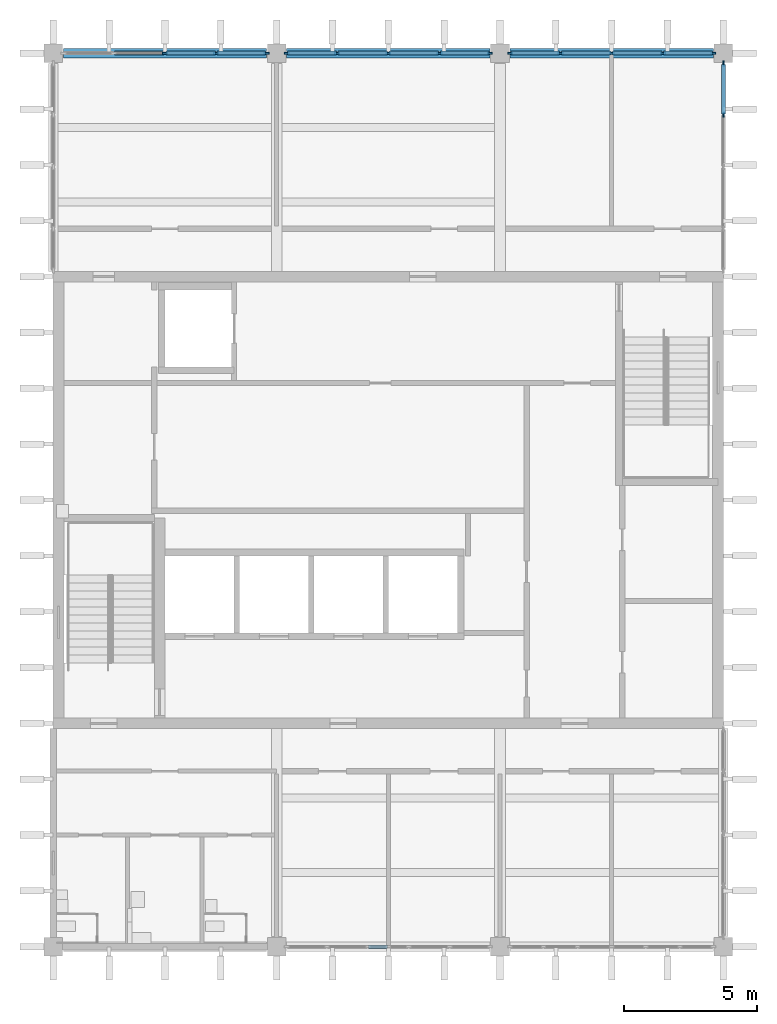
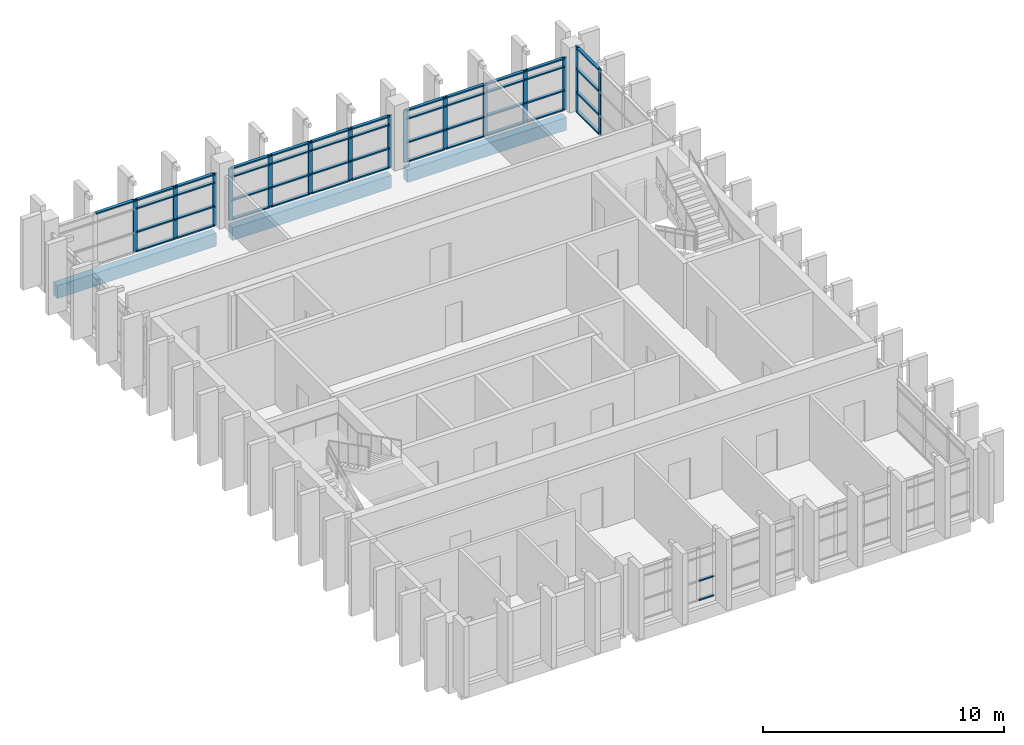
# One storey, part 4 of 11: 62 members, 3 beams, 5 elements without a shape of their own.
"""IFC4 building model written with IfcOpenShell, lengths in metres."""

from ifc_helpers import new_model, si_unit, direction, frame, origin, origin_2d, place, context, subcontext, project, spatial, rectangle, extrude, material, layer, layer_set, material_profile, profile_set, type_object, element, aggregate, save


model = new_model("IFC4")

# Units and contexts
model_context = context("Model", 3, precision=1e-05, world=origin(), true_north=direction((0.0, 1.0)))
body_context = subcontext(model_context, "Body", "Model", "MODEL_VIEW")
ifc_project = project(units=[si_unit("LENGTHUNIT", "METRE"), si_unit("AREAUNIT", "SQUARE_METRE"), si_unit("VOLUMEUNIT", "CUBIC_METRE"), si_unit("PLANEANGLEUNIT", "RADIAN"), si_unit("MASSUNIT", "GRAM", prefix="KILO")], contexts=[model_context])

# Site, building, storey
site_placement = place(None, origin())
site = spatial("IfcSite", under=ifc_project, at=site_placement, CompositionType="ELEMENT")
building_placement = place(site_placement, origin())
building = spatial("IfcBuilding", under=site, at=building_placement, Name="Rulbaag Community and Learning Centre", CompositionType="ELEMENT")
storey_placement = place(building_placement, frame((0.0, 0.0, 50.39990234375)))
storey = spatial("IfcBuildingStorey", under=building, at=storey_placement, Name="L13", CompositionType="ELEMENT", Elevation=50.39990234375)

# Beams
ifc_material_1 = material(Name="Concrete M40", Category="concrete")
ifc_material_profile_1 = material_profile(ifc_material_1, rectangle(XDim=0.35009765625, YDim=0.64990234375, at=origin_2d()), Name="RB350x650")
ifc_profile_set_1 = profile_set([ifc_material_profile_1], Name="Concrete M40")
beam_type = type_object("IfcBeamType", Name="B14 Tower edge beam, upper zone 350x650 Concrete M40", PredefinedType="BEAM", material=ifc_profile_set_1)
beam_1_placement = place(storey_placement, frame((143.179931640625, 117.60009765625, -0.625), z_axis=(1.0, 0.0, 0.0), x_axis=(0.0, 1.0, 0.0)))
element("IfcBeam", 1, at=beam_1_placement, inside=storey, type_object=beam_type, Name="BM-L13-18O-19O", PredefinedType="BEAM", context=body_context, shape_type="SweptSolid", body=[
    extrude(rectangle(XDim=0.35009765625, YDim=0.64990234375, at=origin_2d()), origin(), (0.0, 0.0, 1.0), 7.64013671875),
])
beam_2_placement = place(storey_placement, frame((151.580078125, 117.60009765625, -0.625), z_axis=(1.0, 0.0, 0.0), x_axis=(0.0, 1.0, 0.0)))
element("IfcBeam", 2, at=beam_2_placement, inside=storey, type_object=beam_type, Name="BM-L13-19O-20O", PredefinedType="BEAM", context=body_context, shape_type="SweptSolid", body=[
    extrude(rectangle(XDim=0.35009765625, YDim=0.64990234375, at=origin_2d()), origin(), (0.0, 0.0, 1.0), 7.639892578125),
])
beam_3_placement = place(storey_placement, frame((159.97998046875, 117.60009765625, -0.625), z_axis=(1.0, 0.0, 0.0), x_axis=(0.0, 1.0, 0.0)))
element("IfcBeam", 3, at=beam_3_placement, inside=storey, type_object=beam_type, Name="BM-L13-20O-21O", PredefinedType="BEAM", context=body_context, shape_type="SweptSolid", body=[
    extrude(rectangle(XDim=0.35009765625, YDim=0.64990234375, at=origin_2d()), origin(), (0.0, 0.0, 1.0), 7.64013671875),
])

# Curtain wall, members
ifc_material_2 = material(Name="Aluminium", Category="aluminium")
ifc_layer_1 = layer(ifc_material_2, 0.14990234375)
ifc_layer_set_1 = layer_set([ifc_layer_1], Name="CW-S")
curtain_wall_type_1 = type_object("IfcCurtainWallType", Name="CW-S", PredefinedType="USERDEFINED", material=ifc_layer_set_1)
curtain_wall_1_placement = place(storey_placement, origin())
curtain_wall_1 = element("IfcCurtainWall", 4, at=curtain_wall_1_placement, inside=storey, type_object=curtain_wall_type_1, Name="GS-L13-01", ObjectType="UNITISED CURTAIN WALL", PredefinedType="USERDEFINED")
ifc_material_3 = material(Name="Aluminium transom", Category="aluminium")
ifc_material_profile_2 = material_profile(ifc_material_3, rectangle(XDim=0.125, YDim=0.06005859375, at=origin_2d()), Name="AL 60x125 T")
ifc_profile_set_2 = profile_set([ifc_material_profile_2], Name="Aluminium transom")
member_type_1 = type_object("IfcMemberType", Name="CW-S-TRN", PredefinedType="USERDEFINED", material=ifc_profile_set_2)
member_1_placement = place(storey_placement, frame((154.659912109375, 84.0, 0.030029296875), z_axis=(1.0, 0.0, 0.0), x_axis=(0.0, 1.0, 0.0)))
member_1 = element("IfcMember", 5, at=member_1_placement, type_object=member_type_1, Name="GS transom 3.1", ObjectType="TRANSOM", PredefinedType="USERDEFINED", context=body_context, shape_type="SweptSolid", body=[
    extrude(rectangle(XDim=0.125, YDim=0.06005859375, at=origin_2d()), origin(), (0.0, 0.0, 1.0), 0.710205078125),
])
member_2_placement = place(storey_placement, frame((154.659912109375, 84.0, 1.0), z_axis=(1.0, 0.0, 0.0), x_axis=(0.0, 1.0, 0.0)))
member_2 = element("IfcMember", 6, at=member_2_placement, type_object=member_type_1, Name="GS transom 3.2", ObjectType="TRANSOM", PredefinedType="USERDEFINED", context=body_context, shape_type="SweptSolid", body=[
    extrude(rectangle(XDim=0.125, YDim=0.06005859375, at=origin_2d()), origin(), (0.0, 0.0, 1.0), 0.710205078125),
])
aggregate(curtain_wall_1, [member_1, member_2])

ifc_layer_2 = layer(ifc_material_2, 0.14990234375)
ifc_layer_set_2 = layer_set([ifc_layer_2], Name="CW-T")
curtain_wall_type_2 = type_object("IfcCurtainWallType", Name="CW-T", PredefinedType="USERDEFINED", material=ifc_layer_set_2)
curtain_wall_2_placement = place(storey_placement, origin())
curtain_wall_2 = element("IfcCurtainWall", 7, at=curtain_wall_2_placement, inside=storey, type_object=curtain_wall_type_2, Name="GT-L13-01", ObjectType="UNITISED CURTAIN WALL", PredefinedType="USERDEFINED")
ifc_material_4 = material(Name="Aluminium mullion", Category="aluminium")
ifc_material_profile_3 = material_profile(ifc_material_4, rectangle(XDim=0.06494140625, YDim=0.199951171875, at=origin_2d()), Name="AL 65x200")
ifc_profile_set_3 = profile_set([ifc_material_profile_3], Name="Aluminium mullion")
member_type_2 = type_object("IfcMemberType", Name="CW-T-MUL", PredefinedType="MULLION", material=ifc_profile_set_3)
member_3_placement = place(storey_placement, frame((147.0, 117.60009765625, 0.0), z_axis=(0.0, 0.0, 1.0), x_axis=(0.0, 1.0, 0.0)))
member_3 = element("IfcMember", 8, at=member_3_placement, type_object=member_type_2, Name="GT mullion 3", PredefinedType="MULLION", context=body_context, shape_type="SweptSolid", body=[
    extrude(rectangle(XDim=0.06494140625, YDim=0.199951171875, at=origin_2d()), origin(), (0.0, 0.0, 1.0), 2.650146484375),
])
member_4_placement = place(storey_placement, frame((148.925048828125, 117.60009765625, 0.0), z_axis=(0.0, 0.0, 1.0), x_axis=(0.0, 1.0, 0.0)))
member_4 = element("IfcMember", 9, at=member_4_placement, type_object=member_type_2, Name="GT mullion 4", PredefinedType="MULLION", context=body_context, shape_type="SweptSolid", body=[
    extrude(rectangle(XDim=0.06494140625, YDim=0.199951171875, at=origin_2d()), origin(), (0.0, 0.0, 1.0), 2.650146484375),
])
member_5_placement = place(storey_placement, frame((150.8173828125, 117.60009765625, 0.0), z_axis=(0.0, 0.0, 1.0), x_axis=(0.0, 1.0, 0.0)))
member_5 = element("IfcMember", 10, at=member_5_placement, type_object=member_type_2, Name="GT mullion 5", PredefinedType="MULLION", context=body_context, shape_type="SweptSolid", body=[
    extrude(rectangle(XDim=0.06494140625, YDim=0.199951171875, at=origin_2d()), origin(), (0.0, 0.0, 1.0), 2.650146484375),
])

curtain_wall_3_placement = place(storey_placement, origin())
curtain_wall_3 = element("IfcCurtainWall", 11, at=curtain_wall_3_placement, inside=storey, type_object=curtain_wall_type_2, Name="GT-L13-02", ObjectType="UNITISED CURTAIN WALL", PredefinedType="USERDEFINED")
member_6_placement = place(storey_placement, frame((151.58251953125, 117.60009765625, 0.0), z_axis=(0.0, 0.0, 1.0), x_axis=(0.0, 1.0, 0.0)))
member_6 = element("IfcMember", 12, at=member_6_placement, type_object=member_type_2, Name="GT mullion 1", PredefinedType="MULLION", context=body_context, shape_type="SweptSolid", body=[
    extrude(rectangle(XDim=0.06494140625, YDim=0.199951171875, at=origin_2d()), origin(), (0.0, 0.0, 1.0), 2.650146484375),
])
member_7_placement = place(storey_placement, frame((153.47509765625, 117.60009765625, 0.0), z_axis=(0.0, 0.0, 1.0), x_axis=(0.0, 1.0, 0.0)))
member_7 = element("IfcMember", 13, at=member_7_placement, type_object=member_type_2, Name="GT mullion 2", PredefinedType="MULLION", context=body_context, shape_type="SweptSolid", body=[
    extrude(rectangle(XDim=0.06494140625, YDim=0.199951171875, at=origin_2d()), origin(), (0.0, 0.0, 1.0), 2.650146484375),
])
member_8_placement = place(storey_placement, frame((155.39990234375, 117.60009765625, 0.0), z_axis=(0.0, 0.0, 1.0), x_axis=(0.0, 1.0, 0.0)))
member_8 = element("IfcMember", 14, at=member_8_placement, type_object=member_type_2, Name="GT mullion 3", PredefinedType="MULLION", context=body_context, shape_type="SweptSolid", body=[
    extrude(rectangle(XDim=0.06494140625, YDim=0.199951171875, at=origin_2d()), origin(), (0.0, 0.0, 1.0), 2.650146484375),
])
member_9_placement = place(storey_placement, frame((157.324951171875, 117.60009765625, 0.0), z_axis=(0.0, 0.0, 1.0), x_axis=(0.0, 1.0, 0.0)))
member_9 = element("IfcMember", 15, at=member_9_placement, type_object=member_type_2, Name="GT mullion 4", PredefinedType="MULLION", context=body_context, shape_type="SweptSolid", body=[
    extrude(rectangle(XDim=0.06494140625, YDim=0.199951171875, at=origin_2d()), origin(), (0.0, 0.0, 1.0), 2.650146484375),
])
member_10_placement = place(storey_placement, frame((159.217529296875, 117.60009765625, 0.0), z_axis=(0.0, 0.0, 1.0), x_axis=(0.0, 1.0, 0.0)))
member_10 = element("IfcMember", 16, at=member_10_placement, type_object=member_type_2, Name="GT mullion 5", PredefinedType="MULLION", context=body_context, shape_type="SweptSolid", body=[
    extrude(rectangle(XDim=0.06494140625, YDim=0.199951171875, at=origin_2d()), origin(), (0.0, 0.0, 1.0), 2.650146484375),
])

curtain_wall_4_placement = place(storey_placement, origin())
curtain_wall_4 = element("IfcCurtainWall", 17, at=curtain_wall_4_placement, inside=storey, type_object=curtain_wall_type_2, Name="GT-L13-03", ObjectType="UNITISED CURTAIN WALL", PredefinedType="USERDEFINED")
member_11_placement = place(storey_placement, frame((159.982421875, 117.60009765625, 0.0), z_axis=(0.0, 0.0, 1.0), x_axis=(0.0, 1.0, 0.0)))
member_11 = element("IfcMember", 18, at=member_11_placement, type_object=member_type_2, Name="GT mullion 1", PredefinedType="MULLION", context=body_context, shape_type="SweptSolid", body=[
    extrude(rectangle(XDim=0.06494140625, YDim=0.199951171875, at=origin_2d()), origin(), (0.0, 0.0, 1.0), 2.650146484375),
])
member_12_placement = place(storey_placement, frame((161.875, 117.60009765625, 0.0), z_axis=(0.0, 0.0, 1.0), x_axis=(0.0, 1.0, 0.0)))
member_12 = element("IfcMember", 19, at=member_12_placement, type_object=member_type_2, Name="GT mullion 2", PredefinedType="MULLION", context=body_context, shape_type="SweptSolid", body=[
    extrude(rectangle(XDim=0.06494140625, YDim=0.199951171875, at=origin_2d()), origin(), (0.0, 0.0, 1.0), 2.650146484375),
])
member_13_placement = place(storey_placement, frame((163.800048828125, 117.60009765625, 0.0), z_axis=(0.0, 0.0, 1.0), x_axis=(0.0, 1.0, 0.0)))
member_13 = element("IfcMember", 20, at=member_13_placement, type_object=member_type_2, Name="GT mullion 3", PredefinedType="MULLION", context=body_context, shape_type="SweptSolid", body=[
    extrude(rectangle(XDim=0.06494140625, YDim=0.199951171875, at=origin_2d()), origin(), (0.0, 0.0, 1.0), 2.650146484375),
])
member_14_placement = place(storey_placement, frame((165.72509765625, 117.60009765625, 0.0), z_axis=(0.0, 0.0, 1.0), x_axis=(0.0, 1.0, 0.0)))
member_14 = element("IfcMember", 21, at=member_14_placement, type_object=member_type_2, Name="GT mullion 4", PredefinedType="MULLION", context=body_context, shape_type="SweptSolid", body=[
    extrude(rectangle(XDim=0.06494140625, YDim=0.199951171875, at=origin_2d()), origin(), (0.0, 0.0, 1.0), 2.650146484375),
])
member_15_placement = place(storey_placement, frame((167.617431640625, 117.60009765625, 0.0), z_axis=(0.0, 0.0, 1.0), x_axis=(0.0, 1.0, 0.0)))
member_15 = element("IfcMember", 22, at=member_15_placement, type_object=member_type_2, Name="GT mullion 5", PredefinedType="MULLION", context=body_context, shape_type="SweptSolid", body=[
    extrude(rectangle(XDim=0.06494140625, YDim=0.199951171875, at=origin_2d()), origin(), (0.0, 0.0, 1.0), 2.650146484375),
])

curtain_wall_5_placement = place(storey_placement, origin())
curtain_wall_5 = element("IfcCurtainWall", 23, at=curtain_wall_5_placement, inside=storey, type_object=curtain_wall_type_2, Name="GT-L13-06", ObjectType="UNITISED CURTAIN WALL", PredefinedType="USERDEFINED")
member_16_placement = place(storey_placement, frame((168.0, 115.28759765625, 0.0), z_axis=(0.0, 0.0, 1.0), x_axis=(-1.0, 0.0, 0.0)))
member_16 = element("IfcMember", 24, at=member_16_placement, type_object=member_type_2, Name="GT mullion 4", PredefinedType="MULLION", context=body_context, shape_type="SweptSolid", body=[
    extrude(rectangle(XDim=0.06494140625, YDim=0.199951171875, at=origin_2d()), origin(), (0.0, 0.0, 1.0), 3.300048828125),
])
member_17_placement = place(storey_placement, frame((168.0, 117.217529296875, 0.0), z_axis=(0.0, 0.0, 1.0), x_axis=(-1.0, 0.0, 0.0)))
member_17 = element("IfcMember", 25, at=member_17_placement, type_object=member_type_2, Name="GT mullion 5", PredefinedType="MULLION", context=body_context, shape_type="SweptSolid", body=[
    extrude(rectangle(XDim=0.06494140625, YDim=0.199951171875, at=origin_2d()), origin(), (0.0, 0.0, 1.0), 3.300048828125),
])

# Member
ifc_material_profile_4 = material_profile(ifc_material_3, rectangle(XDim=0.14990234375, YDim=0.06494140625, at=origin_2d()), Name="AL 65x150 T")
ifc_profile_set_4 = profile_set([ifc_material_profile_4], Name="Aluminium transom")
member_type_3 = type_object("IfcMemberType", Name="CW-T-TRN", PredefinedType="USERDEFINED", material=ifc_profile_set_4)
member_18_placement = place(storey_placement, frame((145.107421875, 117.60009765625, 2.61767578125), z_axis=(1.0, 0.0, 0.0), x_axis=(0.0, 1.0, 0.0)))
member_18 = element("IfcMember", 26, at=member_18_placement, type_object=member_type_3, Name="GT transom 2.4", ObjectType="TRANSOM", PredefinedType="USERDEFINED", context=body_context, shape_type="SweptSolid", body=[
    extrude(rectangle(XDim=0.14990234375, YDim=0.06494140625, at=origin_2d()), origin(), (0.0, 0.0, 1.0), 1.860107421875),
])

member_19_placement = place(storey_placement, frame((147.032470703125, 117.60009765625, 0.03271484375), z_axis=(1.0, 0.0, 0.0), x_axis=(0.0, 1.0, 0.0)))
member_19 = element("IfcMember", 27, at=member_19_placement, type_object=member_type_3, Name="GT transom 3.1", ObjectType="TRANSOM", PredefinedType="USERDEFINED", context=body_context, shape_type="SweptSolid", body=[
    extrude(rectangle(XDim=0.14990234375, YDim=0.06494140625, at=origin_2d()), origin(), (0.0, 0.0, 1.0), 1.860107421875),
])

member_20_placement = place(storey_placement, frame((147.032470703125, 117.60009765625, 1.0), z_axis=(1.0, 0.0, 0.0), x_axis=(0.0, 1.0, 0.0)))
member_20 = element("IfcMember", 28, at=member_20_placement, type_object=member_type_3, Name="GT transom 3.2", ObjectType="TRANSOM", PredefinedType="USERDEFINED", context=body_context, shape_type="SweptSolid", body=[
    extrude(rectangle(XDim=0.14990234375, YDim=0.06494140625, at=origin_2d()), origin(), (0.0, 0.0, 1.0), 1.860107421875),
])

member_21_placement = place(storey_placement, frame((147.032470703125, 117.60009765625, 2.2001953125), z_axis=(1.0, 0.0, 0.0), x_axis=(0.0, 1.0, 0.0)))
member_21 = element("IfcMember", 29, at=member_21_placement, type_object=member_type_3, Name="GT transom 3.3", ObjectType="TRANSOM", PredefinedType="USERDEFINED", context=body_context, shape_type="SweptSolid", body=[
    extrude(rectangle(XDim=0.14990234375, YDim=0.06494140625, at=origin_2d()), origin(), (0.0, 0.0, 1.0), 1.860107421875),
])

member_22_placement = place(storey_placement, frame((147.032470703125, 117.60009765625, 2.61767578125), z_axis=(1.0, 0.0, 0.0), x_axis=(0.0, 1.0, 0.0)))
member_22 = element("IfcMember", 30, at=member_22_placement, type_object=member_type_3, Name="GT transom 3.4", ObjectType="TRANSOM", PredefinedType="USERDEFINED", context=body_context, shape_type="SweptSolid", body=[
    extrude(rectangle(XDim=0.14990234375, YDim=0.06494140625, at=origin_2d()), origin(), (0.0, 0.0, 1.0), 1.860107421875),
])

member_23_placement = place(storey_placement, frame((148.95751953125, 117.60009765625, 0.03271484375), z_axis=(1.0, 0.0, 0.0), x_axis=(0.0, 1.0, 0.0)))
member_23 = element("IfcMember", 31, at=member_23_placement, type_object=member_type_3, Name="GT transom 4.1", ObjectType="TRANSOM", PredefinedType="USERDEFINED", context=body_context, shape_type="SweptSolid", body=[
    extrude(rectangle(XDim=0.14990234375, YDim=0.06494140625, at=origin_2d()), origin(), (0.0, 0.0, 1.0), 1.827392578125),
])

member_24_placement = place(storey_placement, frame((148.95751953125, 117.60009765625, 1.0), z_axis=(1.0, 0.0, 0.0), x_axis=(0.0, 1.0, 0.0)))
member_24 = element("IfcMember", 32, at=member_24_placement, type_object=member_type_3, Name="GT transom 4.2", ObjectType="TRANSOM", PredefinedType="USERDEFINED", context=body_context, shape_type="SweptSolid", body=[
    extrude(rectangle(XDim=0.14990234375, YDim=0.06494140625, at=origin_2d()), origin(), (0.0, 0.0, 1.0), 1.827392578125),
])

member_25_placement = place(storey_placement, frame((148.95751953125, 117.60009765625, 2.2001953125), z_axis=(1.0, 0.0, 0.0), x_axis=(0.0, 1.0, 0.0)))
member_25 = element("IfcMember", 33, at=member_25_placement, type_object=member_type_3, Name="GT transom 4.3", ObjectType="TRANSOM", PredefinedType="USERDEFINED", context=body_context, shape_type="SweptSolid", body=[
    extrude(rectangle(XDim=0.14990234375, YDim=0.06494140625, at=origin_2d()), origin(), (0.0, 0.0, 1.0), 1.827392578125),
])

member_26_placement = place(storey_placement, frame((148.95751953125, 117.60009765625, 2.61767578125), z_axis=(1.0, 0.0, 0.0), x_axis=(0.0, 1.0, 0.0)))
member_26 = element("IfcMember", 34, at=member_26_placement, type_object=member_type_3, Name="GT transom 4.4", ObjectType="TRANSOM", PredefinedType="USERDEFINED", context=body_context, shape_type="SweptSolid", body=[
    extrude(rectangle(XDim=0.14990234375, YDim=0.06494140625, at=origin_2d()), origin(), (0.0, 0.0, 1.0), 1.827392578125),
])

aggregate(curtain_wall_2, [member_3, member_4, member_5, member_18, member_19, member_20, member_21, member_22, member_23, member_24, member_25, member_26])

member_27_placement = place(storey_placement, frame((151.614990234375, 117.60009765625, 0.03271484375), z_axis=(1.0, 0.0, 0.0), x_axis=(0.0, 1.0, 0.0)))
member_27 = element("IfcMember", 35, at=member_27_placement, type_object=member_type_3, Name="GT transom 1.1", ObjectType="TRANSOM", PredefinedType="USERDEFINED", context=body_context, shape_type="SweptSolid", body=[
    extrude(rectangle(XDim=0.14990234375, YDim=0.06494140625, at=origin_2d()), origin(), (0.0, 0.0, 1.0), 1.827392578125),
])

member_28_placement = place(storey_placement, frame((151.614990234375, 117.60009765625, 1.0), z_axis=(1.0, 0.0, 0.0), x_axis=(0.0, 1.0, 0.0)))
member_28 = element("IfcMember", 36, at=member_28_placement, type_object=member_type_3, Name="GT transom 1.2", ObjectType="TRANSOM", PredefinedType="USERDEFINED", context=body_context, shape_type="SweptSolid", body=[
    extrude(rectangle(XDim=0.14990234375, YDim=0.06494140625, at=origin_2d()), origin(), (0.0, 0.0, 1.0), 1.827392578125),
])

member_29_placement = place(storey_placement, frame((151.614990234375, 117.60009765625, 2.2001953125), z_axis=(1.0, 0.0, 0.0), x_axis=(0.0, 1.0, 0.0)))
member_29 = element("IfcMember", 37, at=member_29_placement, type_object=member_type_3, Name="GT transom 1.3", ObjectType="TRANSOM", PredefinedType="USERDEFINED", context=body_context, shape_type="SweptSolid", body=[
    extrude(rectangle(XDim=0.14990234375, YDim=0.06494140625, at=origin_2d()), origin(), (0.0, 0.0, 1.0), 1.827392578125),
])

member_30_placement = place(storey_placement, frame((151.614990234375, 117.60009765625, 2.61767578125), z_axis=(1.0, 0.0, 0.0), x_axis=(0.0, 1.0, 0.0)))
member_30 = element("IfcMember", 38, at=member_30_placement, type_object=member_type_3, Name="GT transom 1.4", ObjectType="TRANSOM", PredefinedType="USERDEFINED", context=body_context, shape_type="SweptSolid", body=[
    extrude(rectangle(XDim=0.14990234375, YDim=0.06494140625, at=origin_2d()), origin(), (0.0, 0.0, 1.0), 1.827392578125),
])

member_31_placement = place(storey_placement, frame((153.507568359375, 117.60009765625, 0.03271484375), z_axis=(1.0, 0.0, 0.0), x_axis=(0.0, 1.0, 0.0)))
member_31 = element("IfcMember", 39, at=member_31_placement, type_object=member_type_3, Name="GT transom 2.1", ObjectType="TRANSOM", PredefinedType="USERDEFINED", context=body_context, shape_type="SweptSolid", body=[
    extrude(rectangle(XDim=0.14990234375, YDim=0.06494140625, at=origin_2d()), origin(), (0.0, 0.0, 1.0), 1.85986328125),
])

member_32_placement = place(storey_placement, frame((153.507568359375, 117.60009765625, 1.0), z_axis=(1.0, 0.0, 0.0), x_axis=(0.0, 1.0, 0.0)))
member_32 = element("IfcMember", 40, at=member_32_placement, type_object=member_type_3, Name="GT transom 2.2", ObjectType="TRANSOM", PredefinedType="USERDEFINED", context=body_context, shape_type="SweptSolid", body=[
    extrude(rectangle(XDim=0.14990234375, YDim=0.06494140625, at=origin_2d()), origin(), (0.0, 0.0, 1.0), 1.85986328125),
])

member_33_placement = place(storey_placement, frame((153.507568359375, 117.60009765625, 2.2001953125), z_axis=(1.0, 0.0, 0.0), x_axis=(0.0, 1.0, 0.0)))
member_33 = element("IfcMember", 41, at=member_33_placement, type_object=member_type_3, Name="GT transom 2.3", ObjectType="TRANSOM", PredefinedType="USERDEFINED", context=body_context, shape_type="SweptSolid", body=[
    extrude(rectangle(XDim=0.14990234375, YDim=0.06494140625, at=origin_2d()), origin(), (0.0, 0.0, 1.0), 1.85986328125),
])

member_34_placement = place(storey_placement, frame((153.507568359375, 117.60009765625, 2.61767578125), z_axis=(1.0, 0.0, 0.0), x_axis=(0.0, 1.0, 0.0)))
member_34 = element("IfcMember", 42, at=member_34_placement, type_object=member_type_3, Name="GT transom 2.4", ObjectType="TRANSOM", PredefinedType="USERDEFINED", context=body_context, shape_type="SweptSolid", body=[
    extrude(rectangle(XDim=0.14990234375, YDim=0.06494140625, at=origin_2d()), origin(), (0.0, 0.0, 1.0), 1.85986328125),
])

member_35_placement = place(storey_placement, frame((155.4326171875, 117.60009765625, 0.03271484375), z_axis=(1.0, 0.0, 0.0), x_axis=(0.0, 1.0, 0.0)))
member_35 = element("IfcMember", 43, at=member_35_placement, type_object=member_type_3, Name="GT transom 3.1", ObjectType="TRANSOM", PredefinedType="USERDEFINED", context=body_context, shape_type="SweptSolid", body=[
    extrude(rectangle(XDim=0.14990234375, YDim=0.06494140625, at=origin_2d()), origin(), (0.0, 0.0, 1.0), 1.85986328125),
])

member_36_placement = place(storey_placement, frame((155.4326171875, 117.60009765625, 1.0), z_axis=(1.0, 0.0, 0.0), x_axis=(0.0, 1.0, 0.0)))
member_36 = element("IfcMember", 44, at=member_36_placement, type_object=member_type_3, Name="GT transom 3.2", ObjectType="TRANSOM", PredefinedType="USERDEFINED", context=body_context, shape_type="SweptSolid", body=[
    extrude(rectangle(XDim=0.14990234375, YDim=0.06494140625, at=origin_2d()), origin(), (0.0, 0.0, 1.0), 1.85986328125),
])

member_37_placement = place(storey_placement, frame((155.4326171875, 117.60009765625, 2.2001953125), z_axis=(1.0, 0.0, 0.0), x_axis=(0.0, 1.0, 0.0)))
member_37 = element("IfcMember", 45, at=member_37_placement, type_object=member_type_3, Name="GT transom 3.3", ObjectType="TRANSOM", PredefinedType="USERDEFINED", context=body_context, shape_type="SweptSolid", body=[
    extrude(rectangle(XDim=0.14990234375, YDim=0.06494140625, at=origin_2d()), origin(), (0.0, 0.0, 1.0), 1.85986328125),
])

member_38_placement = place(storey_placement, frame((155.4326171875, 117.60009765625, 2.61767578125), z_axis=(1.0, 0.0, 0.0), x_axis=(0.0, 1.0, 0.0)))
member_38 = element("IfcMember", 46, at=member_38_placement, type_object=member_type_3, Name="GT transom 3.4", ObjectType="TRANSOM", PredefinedType="USERDEFINED", context=body_context, shape_type="SweptSolid", body=[
    extrude(rectangle(XDim=0.14990234375, YDim=0.06494140625, at=origin_2d()), origin(), (0.0, 0.0, 1.0), 1.85986328125),
])

member_39_placement = place(storey_placement, frame((157.357421875, 117.60009765625, 0.03271484375), z_axis=(1.0, 0.0, 0.0), x_axis=(0.0, 1.0, 0.0)))
member_39 = element("IfcMember", 47, at=member_39_placement, type_object=member_type_3, Name="GT transom 4.1", ObjectType="TRANSOM", PredefinedType="USERDEFINED", context=body_context, shape_type="SweptSolid", body=[
    extrude(rectangle(XDim=0.14990234375, YDim=0.06494140625, at=origin_2d()), origin(), (0.0, 0.0, 1.0), 1.82763671875),
])

member_40_placement = place(storey_placement, frame((157.357421875, 117.60009765625, 1.0), z_axis=(1.0, 0.0, 0.0), x_axis=(0.0, 1.0, 0.0)))
member_40 = element("IfcMember", 48, at=member_40_placement, type_object=member_type_3, Name="GT transom 4.2", ObjectType="TRANSOM", PredefinedType="USERDEFINED", context=body_context, shape_type="SweptSolid", body=[
    extrude(rectangle(XDim=0.14990234375, YDim=0.06494140625, at=origin_2d()), origin(), (0.0, 0.0, 1.0), 1.82763671875),
])

member_41_placement = place(storey_placement, frame((157.357421875, 117.60009765625, 2.2001953125), z_axis=(1.0, 0.0, 0.0), x_axis=(0.0, 1.0, 0.0)))
member_41 = element("IfcMember", 49, at=member_41_placement, type_object=member_type_3, Name="GT transom 4.3", ObjectType="TRANSOM", PredefinedType="USERDEFINED", context=body_context, shape_type="SweptSolid", body=[
    extrude(rectangle(XDim=0.14990234375, YDim=0.06494140625, at=origin_2d()), origin(), (0.0, 0.0, 1.0), 1.82763671875),
])

member_42_placement = place(storey_placement, frame((157.357421875, 117.60009765625, 2.61767578125), z_axis=(1.0, 0.0, 0.0), x_axis=(0.0, 1.0, 0.0)))
member_42 = element("IfcMember", 50, at=member_42_placement, type_object=member_type_3, Name="GT transom 4.4", ObjectType="TRANSOM", PredefinedType="USERDEFINED", context=body_context, shape_type="SweptSolid", body=[
    extrude(rectangle(XDim=0.14990234375, YDim=0.06494140625, at=origin_2d()), origin(), (0.0, 0.0, 1.0), 1.82763671875),
])

aggregate(curtain_wall_3, [member_6, member_7, member_8, member_9, member_10, member_27, member_28, member_29, member_30, member_31, member_32, member_33, member_34, member_35, member_36, member_37, member_38, member_39, member_40, member_41, member_42])

member_43_placement = place(storey_placement, frame((160.014892578125, 117.60009765625, 0.03271484375), z_axis=(1.0, 0.0, 0.0), x_axis=(0.0, 1.0, 0.0)))
member_43 = element("IfcMember", 51, at=member_43_placement, type_object=member_type_3, Name="GT transom 1.1", ObjectType="TRANSOM", PredefinedType="USERDEFINED", context=body_context, shape_type="SweptSolid", body=[
    extrude(rectangle(XDim=0.14990234375, YDim=0.06494140625, at=origin_2d()), origin(), (0.0, 0.0, 1.0), 1.82763671875),
])

member_44_placement = place(storey_placement, frame((160.014892578125, 117.60009765625, 1.0), z_axis=(1.0, 0.0, 0.0), x_axis=(0.0, 1.0, 0.0)))
member_44 = element("IfcMember", 52, at=member_44_placement, type_object=member_type_3, Name="GT transom 1.2", ObjectType="TRANSOM", PredefinedType="USERDEFINED", context=body_context, shape_type="SweptSolid", body=[
    extrude(rectangle(XDim=0.14990234375, YDim=0.06494140625, at=origin_2d()), origin(), (0.0, 0.0, 1.0), 1.82763671875),
])

member_45_placement = place(storey_placement, frame((160.014892578125, 117.60009765625, 2.2001953125), z_axis=(1.0, 0.0, 0.0), x_axis=(0.0, 1.0, 0.0)))
member_45 = element("IfcMember", 53, at=member_45_placement, type_object=member_type_3, Name="GT transom 1.3", ObjectType="TRANSOM", PredefinedType="USERDEFINED", context=body_context, shape_type="SweptSolid", body=[
    extrude(rectangle(XDim=0.14990234375, YDim=0.06494140625, at=origin_2d()), origin(), (0.0, 0.0, 1.0), 1.82763671875),
])

member_46_placement = place(storey_placement, frame((160.014892578125, 117.60009765625, 2.61767578125), z_axis=(1.0, 0.0, 0.0), x_axis=(0.0, 1.0, 0.0)))
member_46 = element("IfcMember", 54, at=member_46_placement, type_object=member_type_3, Name="GT transom 1.4", ObjectType="TRANSOM", PredefinedType="USERDEFINED", context=body_context, shape_type="SweptSolid", body=[
    extrude(rectangle(XDim=0.14990234375, YDim=0.06494140625, at=origin_2d()), origin(), (0.0, 0.0, 1.0), 1.82763671875),
])

member_47_placement = place(storey_placement, frame((161.907470703125, 117.60009765625, 0.03271484375), z_axis=(1.0, 0.0, 0.0), x_axis=(0.0, 1.0, 0.0)))
member_47 = element("IfcMember", 55, at=member_47_placement, type_object=member_type_3, Name="GT transom 2.1", ObjectType="TRANSOM", PredefinedType="USERDEFINED", context=body_context, shape_type="SweptSolid", body=[
    extrude(rectangle(XDim=0.14990234375, YDim=0.06494140625, at=origin_2d()), origin(), (0.0, 0.0, 1.0), 1.860107421875),
])

member_48_placement = place(storey_placement, frame((161.907470703125, 117.60009765625, 1.0), z_axis=(1.0, 0.0, 0.0), x_axis=(0.0, 1.0, 0.0)))
member_48 = element("IfcMember", 56, at=member_48_placement, type_object=member_type_3, Name="GT transom 2.2", ObjectType="TRANSOM", PredefinedType="USERDEFINED", context=body_context, shape_type="SweptSolid", body=[
    extrude(rectangle(XDim=0.14990234375, YDim=0.06494140625, at=origin_2d()), origin(), (0.0, 0.0, 1.0), 1.860107421875),
])

member_49_placement = place(storey_placement, frame((161.907470703125, 117.60009765625, 2.2001953125), z_axis=(1.0, 0.0, 0.0), x_axis=(0.0, 1.0, 0.0)))
member_49 = element("IfcMember", 57, at=member_49_placement, type_object=member_type_3, Name="GT transom 2.3", ObjectType="TRANSOM", PredefinedType="USERDEFINED", context=body_context, shape_type="SweptSolid", body=[
    extrude(rectangle(XDim=0.14990234375, YDim=0.06494140625, at=origin_2d()), origin(), (0.0, 0.0, 1.0), 1.860107421875),
])

member_50_placement = place(storey_placement, frame((161.907470703125, 117.60009765625, 2.61767578125), z_axis=(1.0, 0.0, 0.0), x_axis=(0.0, 1.0, 0.0)))
member_50 = element("IfcMember", 58, at=member_50_placement, type_object=member_type_3, Name="GT transom 2.4", ObjectType="TRANSOM", PredefinedType="USERDEFINED", context=body_context, shape_type="SweptSolid", body=[
    extrude(rectangle(XDim=0.14990234375, YDim=0.06494140625, at=origin_2d()), origin(), (0.0, 0.0, 1.0), 1.860107421875),
])

member_51_placement = place(storey_placement, frame((163.83251953125, 117.60009765625, 0.03271484375), z_axis=(1.0, 0.0, 0.0), x_axis=(0.0, 1.0, 0.0)))
member_51 = element("IfcMember", 59, at=member_51_placement, type_object=member_type_3, Name="GT transom 3.1", ObjectType="TRANSOM", PredefinedType="USERDEFINED", context=body_context, shape_type="SweptSolid", body=[
    extrude(rectangle(XDim=0.14990234375, YDim=0.06494140625, at=origin_2d()), origin(), (0.0, 0.0, 1.0), 1.85986328125),
])

member_52_placement = place(storey_placement, frame((163.83251953125, 117.60009765625, 1.0), z_axis=(1.0, 0.0, 0.0), x_axis=(0.0, 1.0, 0.0)))
member_52 = element("IfcMember", 60, at=member_52_placement, type_object=member_type_3, Name="GT transom 3.2", ObjectType="TRANSOM", PredefinedType="USERDEFINED", context=body_context, shape_type="SweptSolid", body=[
    extrude(rectangle(XDim=0.14990234375, YDim=0.06494140625, at=origin_2d()), origin(), (0.0, 0.0, 1.0), 1.85986328125),
])

member_53_placement = place(storey_placement, frame((163.83251953125, 117.60009765625, 2.2001953125), z_axis=(1.0, 0.0, 0.0), x_axis=(0.0, 1.0, 0.0)))
member_53 = element("IfcMember", 61, at=member_53_placement, type_object=member_type_3, Name="GT transom 3.3", ObjectType="TRANSOM", PredefinedType="USERDEFINED", context=body_context, shape_type="SweptSolid", body=[
    extrude(rectangle(XDim=0.14990234375, YDim=0.06494140625, at=origin_2d()), origin(), (0.0, 0.0, 1.0), 1.85986328125),
])

member_54_placement = place(storey_placement, frame((163.83251953125, 117.60009765625, 2.61767578125), z_axis=(1.0, 0.0, 0.0), x_axis=(0.0, 1.0, 0.0)))
member_54 = element("IfcMember", 62, at=member_54_placement, type_object=member_type_3, Name="GT transom 3.4", ObjectType="TRANSOM", PredefinedType="USERDEFINED", context=body_context, shape_type="SweptSolid", body=[
    extrude(rectangle(XDim=0.14990234375, YDim=0.06494140625, at=origin_2d()), origin(), (0.0, 0.0, 1.0), 1.85986328125),
])

member_55_placement = place(storey_placement, frame((165.757568359375, 117.60009765625, 0.03271484375), z_axis=(1.0, 0.0, 0.0), x_axis=(0.0, 1.0, 0.0)))
member_55 = element("IfcMember", 63, at=member_55_placement, type_object=member_type_3, Name="GT transom 4.1", ObjectType="TRANSOM", PredefinedType="USERDEFINED", context=body_context, shape_type="SweptSolid", body=[
    extrude(rectangle(XDim=0.14990234375, YDim=0.06494140625, at=origin_2d()), origin(), (0.0, 0.0, 1.0), 1.827392578125),
])

member_56_placement = place(storey_placement, frame((165.757568359375, 117.60009765625, 1.0), z_axis=(1.0, 0.0, 0.0), x_axis=(0.0, 1.0, 0.0)))
member_56 = element("IfcMember", 64, at=member_56_placement, type_object=member_type_3, Name="GT transom 4.2", ObjectType="TRANSOM", PredefinedType="USERDEFINED", context=body_context, shape_type="SweptSolid", body=[
    extrude(rectangle(XDim=0.14990234375, YDim=0.06494140625, at=origin_2d()), origin(), (0.0, 0.0, 1.0), 1.827392578125),
])

member_57_placement = place(storey_placement, frame((165.757568359375, 117.60009765625, 2.2001953125), z_axis=(1.0, 0.0, 0.0), x_axis=(0.0, 1.0, 0.0)))
member_57 = element("IfcMember", 65, at=member_57_placement, type_object=member_type_3, Name="GT transom 4.3", ObjectType="TRANSOM", PredefinedType="USERDEFINED", context=body_context, shape_type="SweptSolid", body=[
    extrude(rectangle(XDim=0.14990234375, YDim=0.06494140625, at=origin_2d()), origin(), (0.0, 0.0, 1.0), 1.827392578125),
])

member_58_placement = place(storey_placement, frame((165.757568359375, 117.60009765625, 2.61767578125), z_axis=(1.0, 0.0, 0.0), x_axis=(0.0, 1.0, 0.0)))
member_58 = element("IfcMember", 66, at=member_58_placement, type_object=member_type_3, Name="GT transom 4.4", ObjectType="TRANSOM", PredefinedType="USERDEFINED", context=body_context, shape_type="SweptSolid", body=[
    extrude(rectangle(XDim=0.14990234375, YDim=0.06494140625, at=origin_2d()), origin(), (0.0, 0.0, 1.0), 1.827392578125),
])

aggregate(curtain_wall_4, [member_11, member_12, member_13, member_14, member_15, member_43, member_44, member_45, member_46, member_47, member_48, member_49, member_50, member_51, member_52, member_53, member_54, member_55, member_56, member_57, member_58])

member_59_placement = place(storey_placement, frame((168.0, 115.320068359375, 0.03271484375), z_axis=(0.0, 1.0, 0.0), x_axis=(-1.0, 0.0, 0.0)))
member_59 = element("IfcMember", 67, at=member_59_placement, type_object=member_type_3, Name="GT transom 4.1", ObjectType="TRANSOM", PredefinedType="USERDEFINED", context=body_context, shape_type="SweptSolid", body=[
    extrude(rectangle(XDim=0.14990234375, YDim=0.06494140625, at=origin_2d()), origin(), (0.0, 0.0, 1.0), 1.864990234375),
])

member_60_placement = place(storey_placement, frame((168.0, 115.320068359375, 1.0), z_axis=(0.0, 1.0, 0.0), x_axis=(-1.0, 0.0, 0.0)))
member_60 = element("IfcMember", 68, at=member_60_placement, type_object=member_type_3, Name="GT transom 4.2", ObjectType="TRANSOM", PredefinedType="USERDEFINED", context=body_context, shape_type="SweptSolid", body=[
    extrude(rectangle(XDim=0.14990234375, YDim=0.06494140625, at=origin_2d()), origin(), (0.0, 0.0, 1.0), 1.864990234375),
])

member_61_placement = place(storey_placement, frame((168.0, 115.320068359375, 2.2001953125), z_axis=(0.0, 1.0, 0.0), x_axis=(-1.0, 0.0, 0.0)))
member_61 = element("IfcMember", 69, at=member_61_placement, type_object=member_type_3, Name="GT transom 4.3", ObjectType="TRANSOM", PredefinedType="USERDEFINED", context=body_context, shape_type="SweptSolid", body=[
    extrude(rectangle(XDim=0.14990234375, YDim=0.06494140625, at=origin_2d()), origin(), (0.0, 0.0, 1.0), 1.864990234375),
])

member_62_placement = place(storey_placement, frame((168.0, 115.320068359375, 3.267578125), z_axis=(0.0, 1.0, 0.0), x_axis=(-1.0, 0.0, 0.0)))
member_62 = element("IfcMember", 70, at=member_62_placement, type_object=member_type_3, Name="GT transom 4.4", ObjectType="TRANSOM", PredefinedType="USERDEFINED", context=body_context, shape_type="SweptSolid", body=[
    extrude(rectangle(XDim=0.14990234375, YDim=0.06494140625, at=origin_2d()), origin(), (0.0, 0.0, 1.0), 1.864990234375),
])

aggregate(curtain_wall_5, [member_16, member_17, member_59, member_60, member_61, member_62])

save(model, "model.ifc")
